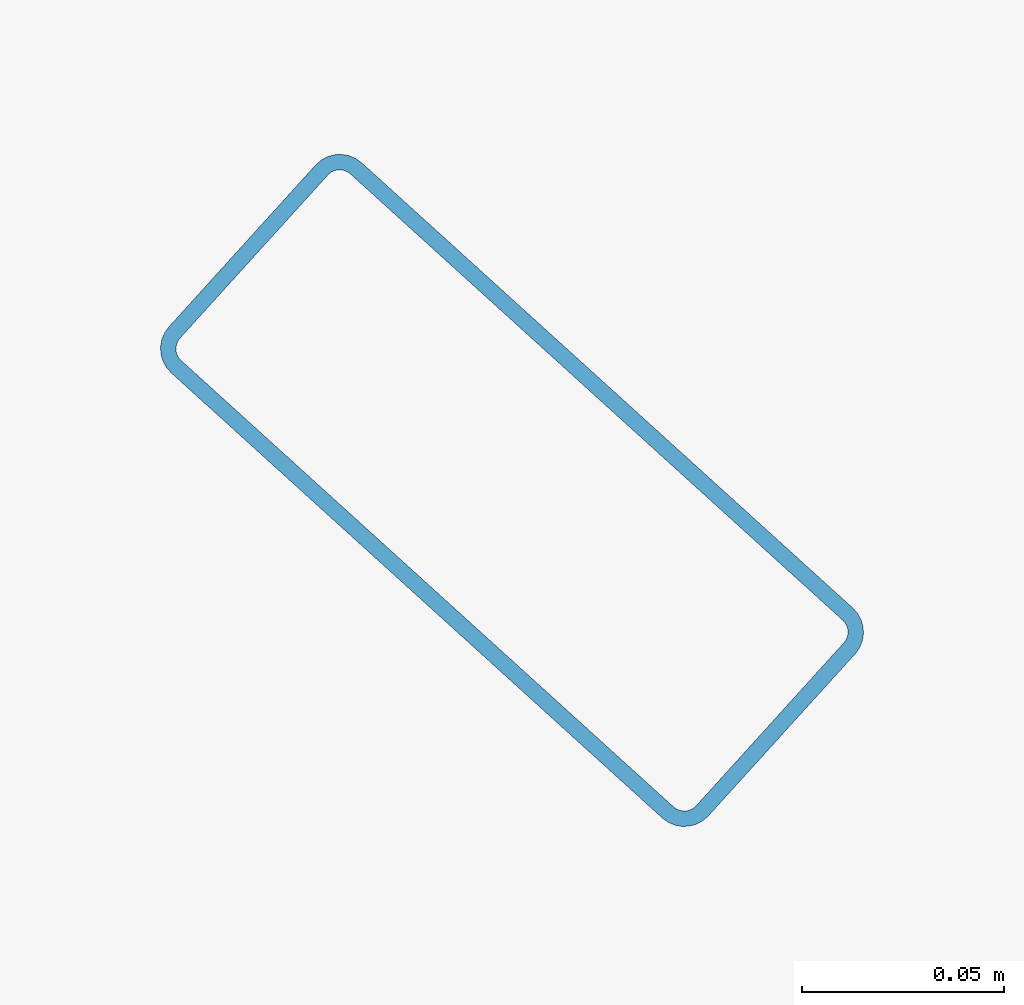
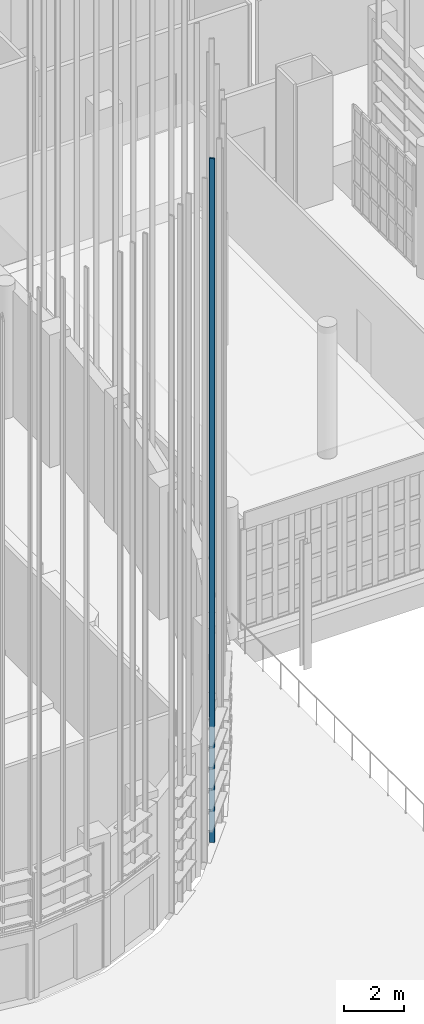
# One storey, part 57 of 372: 1 member.
"""IFC4 building model written with IfcOpenShell, lengths in metres."""

from ifc_helpers import new_model, si_unit, direction, frame, origin, origin_2d, place, context, subcontext, project, spatial, hollow_rectangle, extrude, material, material_profile, profile_set, type_object, element, save


model = new_model("IFC4")

# Units and contexts
model_context = context("Model", 3, precision=1e-05, world=origin(), true_north=direction((0.0, 1.0)))
body_context = subcontext(model_context, "Body", "Model", "MODEL_VIEW")
ifc_project = project(units=[si_unit("LENGTHUNIT", "METRE"), si_unit("AREAUNIT", "SQUARE_METRE"), si_unit("VOLUMEUNIT", "CUBIC_METRE"), si_unit("PLANEANGLEUNIT", "RADIAN"), si_unit("MASSUNIT", "GRAM", prefix="KILO")], contexts=[model_context])

# Site, building, storey
site_placement = place(None, origin())
site = spatial("IfcSite", under=ifc_project, at=site_placement, CompositionType="ELEMENT")
building_placement = place(site_placement, origin())
building = spatial("IfcBuilding", under=site, at=building_placement, Name="Kaelora Sail Theatre", CompositionType="ELEMENT")
storey_placement = place(building_placement, origin())
storey = spatial("IfcBuildingStorey", under=building, at=storey_placement, Name="L00", CompositionType="ELEMENT", Elevation=0.0)

# Member
ifc_material = material(Name="Anodised aluminium 6063-T6", Category="aluminium")
ifc_material_profile = material_profile(ifc_material, hollow_rectangle(XDim=0.070068359375, YDim=0.179931640625, WallThickness=0.00390625, InnerFilletRadius=0.00390625, OuterFilletRadius=0.008056640625, at=origin_2d()), Name="ALU-MULL 70x180x4")
ifc_profile_set = profile_set([ifc_material_profile], Name="Anodised aluminium 6063-T6")
member_type = type_object("IfcMemberType", Name="ARC-MEM-PST-160", PredefinedType="POST", material=ifc_profile_set)
member_placement = place(storey_placement, frame((51.7041015625, 28.545166015625, 0.0), z_axis=(0.0, 0.0, 1.0), x_axis=(-0.6715912843, -0.740921822362, 0.0)))
element("IfcMember", 1, at=member_placement, inside=storey, type_object=member_type, Name="Main Theatre Sail Drum solar louvre vertical support post C8-2", PredefinedType="POST", context=body_context, shape_type="SweptSolid", body=[
    extrude(hollow_rectangle(XDim=0.070068359375, YDim=0.179931640625, WallThickness=0.00390625, InnerFilletRadius=0.00390625, OuterFilletRadius=0.008056640625, at=origin_2d()), origin(), (0.0, 0.0, 1.0), 27.846435546875),
])

save(model, "model.ifc")
